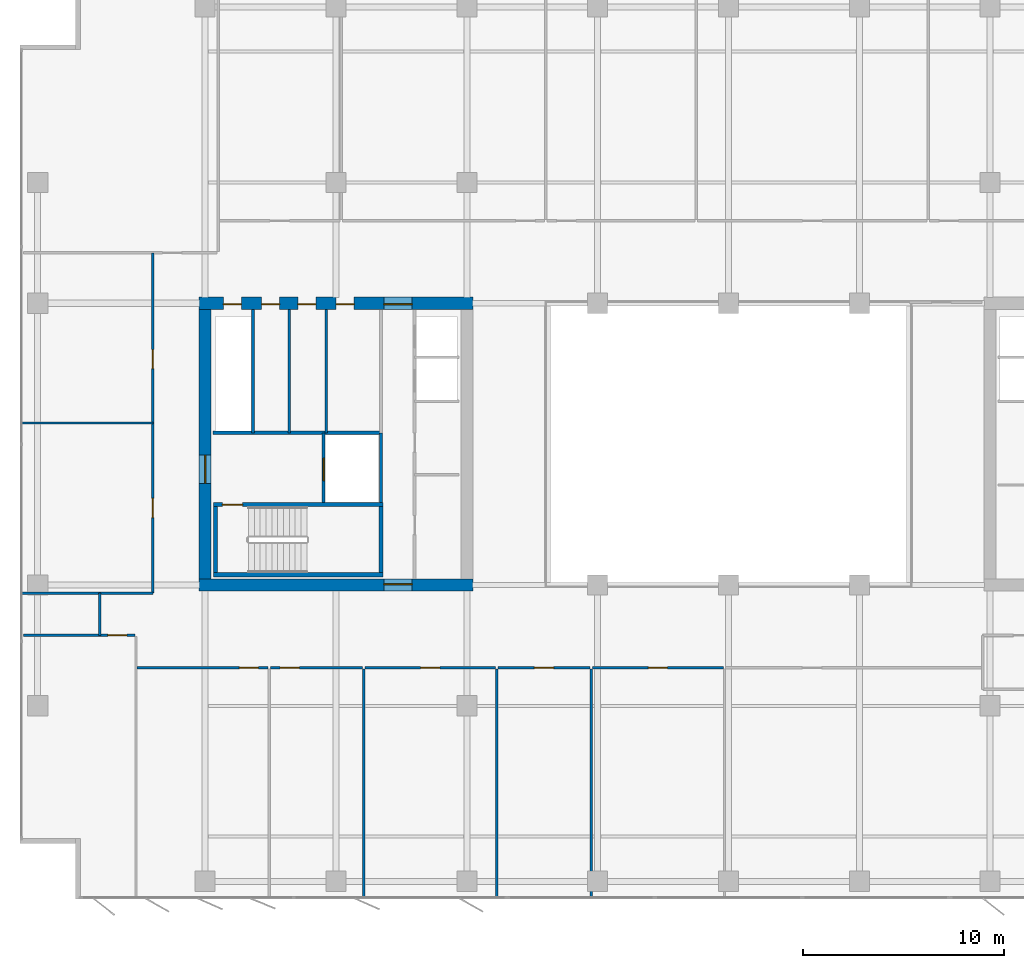
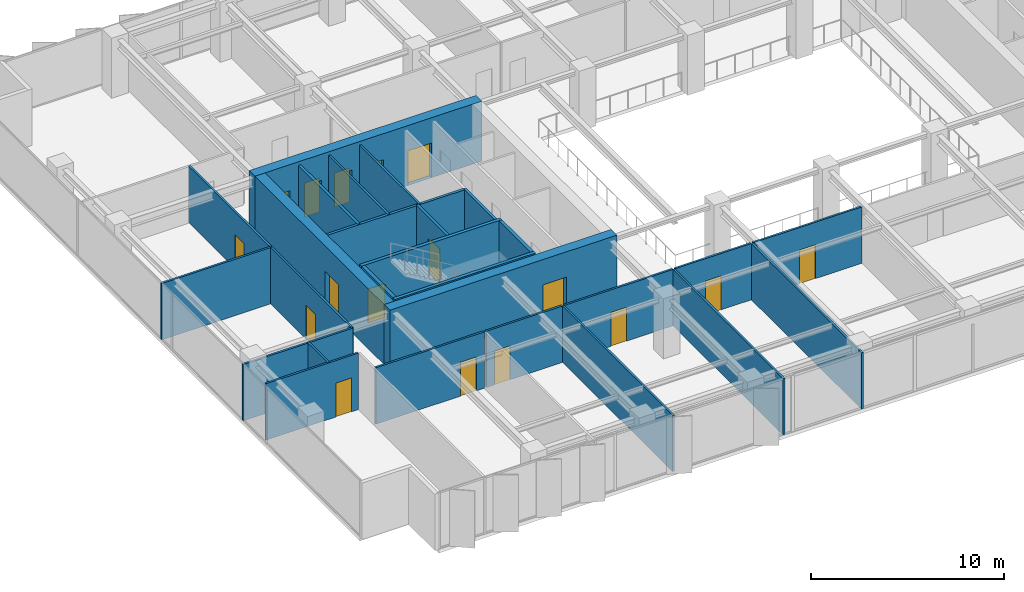
# One storey, part 15 of 22: 27 walls, 17 doors, 17 openings.
"""IFC4 building model written with IfcOpenShell, lengths in metres."""

import ifcopenshell
import ifcopenshell.guid

model = None  # the IFC model being written
_history = None  # IfcOwnerHistory: only IFC2X3 demands one
_inside = {}  # id of a spatial element -> (the spatial element, [elements in it])
_under = {}  # id of a project, library or spatial element -> (it, [spatial elements below it])
_declared = {}  # id of a project -> (the project, [libraries it declares])
_typed = {}  # id of a type object -> (the type object, [elements of that type])
_made_of = {}  # id of a material, layer set ... -> (it, [elements and type objects made of it])


def new_model(schema):
    """Start an empty IFC model of exactly this schema.

    Asked for "IFC4X3", IfcOpenShell would pick the latest addendum, in which some entities
    have other attributes; the version numbers below select the first issue.
    IFC2X3 requires an IfcOwnerHistory on every rooted entity: one is made here for all.
    """
    global model, _history
    if schema == "IFC4X3":
        model = ifcopenshell.file(schema_version=(4, 3, 0, 0))
    else:
        model = ifcopenshell.file(schema=schema)
    _inside.clear()
    _under.clear()
    _declared.clear()
    _typed.clear()
    _made_of.clear()
    _history = None
    if model.schema == "IFC2X3":
        org = make("IfcOrganization", Name="unknown")
        user = make(
            "IfcPersonAndOrganization",
            ThePerson=make("IfcPerson", FamilyName="unknown"),
            TheOrganization=org,
        )
        app = make(
            "IfcApplication",
            ApplicationDeveloper=org,
            Version="unknown",
            ApplicationFullName="unknown",
            ApplicationIdentifier="unknown",
        )
        _history = make(
            "IfcOwnerHistory",
            OwningUser=user,
            OwningApplication=app,
            ChangeAction="ADDED",
            CreationDate=0,
        )
    return model


def make(cls, **values):
    """One entity of the class cls with the attributes given. An attribute that is None is left unset."""
    return model.create_entity(
        cls, **{name: value for name, value in values.items() if value is not None}
    )


def rooted(cls, **values):
    """An entity with a GlobalId (a new one), such as an element, a storey or a relation."""
    return make(cls, GlobalId=ifcopenshell.guid.new(), OwnerHistory=_history, **values)


def si_unit(unit_type, name, prefix=None):
    """IfcSIUnit, for example si_unit("LENGTHUNIT", "METRE", prefix="MILLI")."""
    return make("IfcSIUnit", UnitType=unit_type, Prefix=prefix, Name=name)


def assignment(units):
    """IfcUnitAssignment: the units of a project."""
    return None if units is None else make("IfcUnitAssignment", Units=units)


def point(xyz):
    """IfcCartesianPoint."""
    return None if xyz is None else make("IfcCartesianPoint", Coordinates=xyz)


def direction(xyz):
    """IfcDirection."""
    return None if xyz is None else make("IfcDirection", DirectionRatios=xyz)


def frame(location, z_axis=None, x_axis=None):
    """IfcAxis2Placement3D, a coordinate frame: its origin and axes. An axis left out is left unset."""
    return make(
        "IfcAxis2Placement3D",
        Location=point(location),
        Axis=direction(z_axis),
        RefDirection=direction(x_axis),
    )


def frame_2d(location, x_axis=None):
    """IfcAxis2Placement2D, a coordinate frame in the plane: its origin and x axis."""
    return make(
        "IfcAxis2Placement2D", Location=point(location), RefDirection=direction(x_axis)
    )


def origin():
    """The frame at (0, 0, 0) with its axes left unset."""
    return frame((0.0, 0.0, 0.0))


def place(relative_to, where):
    """IfcLocalPlacement: puts the frame where relative to a parent placement (None: the world)."""
    return make(
        "IfcLocalPlacement", PlacementRelTo=relative_to, RelativePlacement=where
    )


def context(
    kind, dimensions, precision=None, world=None, true_north=None, identifier=None
):
    """IfcGeometricRepresentationContext, for example the 3D "Model" context."""
    return make(
        "IfcGeometricRepresentationContext",
        ContextIdentifier=identifier,
        ContextType=kind,
        CoordinateSpaceDimension=dimensions,
        Precision=precision,
        WorldCoordinateSystem=world,
        TrueNorth=true_north,
    )


def subcontext(parent, identifier, kind, view, scale=None):
    """IfcGeometricRepresentationSubContext, for example "Body" below "Model"."""
    return make(
        "IfcGeometricRepresentationSubContext",
        ContextIdentifier=identifier,
        ContextType=kind,
        ParentContext=parent,
        TargetScale=scale,
        TargetView=view,
    )


def project(units=None, contexts=None):
    """IfcProject with its units and contexts."""
    return rooted(
        "IfcProject",
        Name="project",
        RepresentationContexts=contexts,
        UnitsInContext=assignment(units),
    )


def spatial(cls, under=None, at=None, **own):
    """A site, building, storey or space (cls), placed at a placement, below another one or the project."""
    s = rooted(cls, ObjectPlacement=at, **own)
    if under is not None:
        _under.setdefault(under.id(), (under, []))[1].append(s)
    return s


def profile(cls, at=None, kind="AREA", **sizes):
    """A parametric profile (cls). Its sizes go by their IFC names, for example OverallWidth=200.0."""
    return make(cls, ProfileType=kind, Position=at, **sizes)


def rectangle(**sizes):
    """IfcRectangleProfileDef."""
    return profile("IfcRectangleProfileDef", **sizes)


def extrude(swept, where, along, depth):
    """IfcExtrudedAreaSolid: the profile swept, set in the frame where, extruded along a direction by depth."""
    return make(
        "IfcExtrudedAreaSolid",
        SweptArea=swept,
        Position=where,
        ExtrudedDirection=direction(along),
        Depth=depth,
    )


def shape(context_of_items, identifier, shape_type, items):
    """IfcShapeRepresentation: the items that make up one representation, for example the "Body"."""
    return make(
        "IfcShapeRepresentation",
        ContextOfItems=context_of_items,
        RepresentationIdentifier=identifier,
        RepresentationType=shape_type,
        Items=items,
    )


def material(Name=None, Category=None):
    """IfcMaterial."""
    return make("IfcMaterial", Name=Name, Category=Category)


def layer(
    of_material, thickness, ventilated=None, Name=None, Category=None, Priority=None
):
    """IfcMaterialLayer: one layer of a wall or slab, of a material (None: an air gap)."""
    return make(
        "IfcMaterialLayer",
        Material=of_material,
        LayerThickness=thickness,
        IsVentilated=ventilated,
        Name=Name,
        Category=Category,
        Priority=Priority,
    )


def layer_set(layers, Name=None):
    """IfcMaterialLayerSet."""
    return make("IfcMaterialLayerSet", MaterialLayers=layers, LayerSetName=Name)


def made_of(thing, what):
    """Note that an element or type object is made of a material, layer set ...; save() writes the relation."""
    if what is not None:
        _made_of.setdefault(what.id(), (what, []))[1].append(thing)
    return thing


def type_object(cls, material=None, **own):
    """A type object (cls), such as IfcWallType, which elements share."""
    return made_of(rooted(cls, **own), material)


def element(
    cls,
    number,
    at=None,
    inside=None,
    cuts=None,
    type_object=None,
    material=None,
    context=None,
    identifier="Body",
    shape_type=None,
    held_by="IfcProductDefinitionShape",
    body=None,
    shapes=None,
    **own,
):
    """One element of the class cls, such as IfcWall. Its Tag is "e" and its number.

    at: its placement. inside: the storey or other place that contains it. cuts: it is an
    opening in that element (IfcRelVoidsElement). A single representation is given by context,
    identifier, shape_type and body (its items); several are given by shapes. held_by: the class
    of the entity that holds the representations. save() writes the other relations.
    """
    e = rooted(cls, Tag="e%d" % number, ObjectPlacement=at, **own)
    if body is not None:
        shapes = [shape(context, identifier, shape_type, body)]
    if shapes is not None:
        e.Representation = make(held_by, Representations=shapes)
    if inside is not None:
        _inside.setdefault(inside.id(), (inside, []))[1].append(e)
    if cuts is not None:
        rooted(
            "IfcRelVoidsElement", RelatingBuildingElement=cuts, RelatedOpeningElement=e
        )
    if type_object is not None:
        _typed.setdefault(type_object.id(), (type_object, []))[1].append(e)
    return made_of(e, material)


def fill(opening, filler):
    """IfcRelFillsElement: the door or window that sits in an opening."""
    return rooted(
        "IfcRelFillsElement",
        RelatingOpeningElement=opening,
        RelatedBuildingElement=filler,
    )


def aggregate(whole, parts):
    """IfcRelAggregates: a whole, such as a stair, and the parts it consists of."""
    return rooted("IfcRelAggregates", RelatingObject=whole, RelatedObjects=parts)


def save(model, path):
    """Write the relations noted so far, then the file.

    IfcRelAggregates (storeys below a building ...), IfcRelContainedInSpatialStructure (elements
    in a storey), IfcRelDefinesByType, IfcRelAssociatesMaterial and IfcRelDeclares: one each for
    every whole, place, type object, material and project.
    """
    for whole, parts in _under.values():
        aggregate(whole, parts)
    for where, things in _inside.values():
        rooted(
            "IfcRelContainedInSpatialStructure",
            RelatedElements=things,
            RelatingStructure=where,
        )
    for kind, things in _typed.values():
        rooted("IfcRelDefinesByType", RelatedObjects=things, RelatingType=kind)
    for what, things in _made_of.values():
        rooted("IfcRelAssociatesMaterial", RelatedObjects=things, RelatingMaterial=what)
    for by, libraries in _declared.values():
        rooted("IfcRelDeclares", RelatingContext=by, RelatedDefinitions=libraries)
    model.write(path)


model = new_model("IFC4")

# Units and contexts
model_context = context("Model", 3, precision=1e-05, world=origin(), true_north=direction((0.0, 1.0)))
body_context = subcontext(model_context, "Body", "Model", "MODEL_VIEW")
ifc_project = project(units=[si_unit("LENGTHUNIT", "METRE"), si_unit("AREAUNIT", "SQUARE_METRE"), si_unit("VOLUMEUNIT", "CUBIC_METRE"), si_unit("PLANEANGLEUNIT", "RADIAN"), si_unit("MASSUNIT", "GRAM", prefix="KILO")], contexts=[model_context])

# Site, building, storey
site_placement = place(None, origin())
site = spatial("IfcSite", under=ifc_project, at=site_placement, CompositionType="ELEMENT")
building_placement = place(site_placement, origin())
building = spatial("IfcBuilding", under=site, at=building_placement, Name="Putna Gate Headquarters", CompositionType="ELEMENT")
storey_placement = place(building_placement, frame((0.0, 0.0, 178.39990234375)))
storey = spatial("IfcBuildingStorey", under=building, at=storey_placement, Name="L44", CompositionType="ELEMENT", Elevation=178.39990234375)

# Wall, opening, door
ifc_material_1 = material(Name="Concrete C50/60", Category="concrete")
ifc_layer_1 = layer(ifc_material_1, 0.60009765625)
ifc_layer_set_1 = layer_set([ifc_layer_1], Name="Concrete C50/60")
wall_type_1 = type_object("IfcWallType", Name="WALL-CORE-600", PredefinedType="SHEAR", material=ifc_layer_set_1)
wall_1_placement = place(storey_placement, frame((12.699951171875, 19.0, 0.0), z_axis=(0.0, 0.0, 1.0), x_axis=(1.0, 0.0, 0.0)))
wall_1 = element("IfcWall", 1, at=wall_1_placement, inside=storey, type_object=wall_type_1, Name="L44 WC Split Core Shear Wall S", PredefinedType="SHEAR", context=body_context, shape_type="SweptSolid", body=[
    extrude(rectangle(XDim=13.60009765625, YDim=0.60009765625, at=frame_2d((6.800048828125, 0.0))), origin(), (0.0, 0.0, 1.0), 3.800048828125),
])
opening_1_placement = place(wall_1_placement, frame((9.179931640625, 0.0, 0.0)))
opening_1 = element("IfcOpeningElement", 2, at=opening_1_placement, cuts=wall_1, Name="Opening FDD-140", PredefinedType="OPENING", context=body_context, shape_type="SweptSolid", body=[
    extrude(rectangle(XDim=1.39990234375, YDim=2.199951171875, at=frame_2d((0.699951171875, 1.10009765625))), frame((0.0, 0.31005859375, 0.0), z_axis=(0.0, -1.0, 0.0), x_axis=(1.0, 0.0, 0.0)), (0.0, 0.0, 1.0), 0.6201171875),
])
ifc_material_2 = material(Name="Double steel fire door", Category="steel")
door_type_1 = type_object("IfcDoorType", Name="DOOR-FIRE-DBL-1400", OperationType="DOUBLE_DOOR_SINGLE_SWING", PredefinedType="DOOR", material=ifc_material_2)
door_1_placement = place(opening_1_placement, origin())
door_1 = element("IfcDoor", 3, at=door_1_placement, inside=storey, type_object=door_type_1, Name="L44 West Lift Lobby South Door", OperationType="DOUBLE_DOOR_SINGLE_SWING", OverallHeight=2.199951171875, OverallWidth=1.39990234375, PredefinedType="DOOR", context=body_context, shape_type="SweptSolid", body=[
    extrude(rectangle(XDim=1.39990234375, YDim=2.199951171875, at=frame_2d((0.699951171875, 1.10009765625))), frame((0.0, 0.0751953125, 0.0), z_axis=(0.0, -1.0, 0.0), x_axis=(1.0, 0.0, 0.0)), (0.0, 0.0, 1.0), 0.050048828125),
])
fill(opening_1, door_1)

# Wall, openings, doors
wall_2_placement = place(storey_placement, frame((12.699951171875, 33.0, 0.0), z_axis=(0.0, 0.0, 1.0), x_axis=(1.0, 0.0, 0.0)))
wall_2 = element("IfcWall", 4, at=wall_2_placement, inside=storey, type_object=wall_type_1, Name="L44 WC Split Core Shear Wall N", PredefinedType="SHEAR", context=body_context, shape_type="SweptSolid", body=[
    extrude(rectangle(XDim=13.60009765625, YDim=0.60009765625, at=frame_2d((6.800048828125, 0.0))), origin(), (0.0, 0.0, 1.0), 3.800048828125),
])
opening_2_placement = place(wall_2_placement, frame((1.199951171875, 0.0, 0.0)))
opening_2 = element("IfcOpeningElement", 5, at=opening_2_placement, cuts=wall_2, Name="Opening RD-90", PredefinedType="OPENING", context=body_context, shape_type="SweptSolid", body=[
    extrude(rectangle(XDim=0.89990234375, YDim=2.14990234375, at=frame_2d((0.449951171875, 1.074951171875))), frame((0.0, 0.31005859375, 0.0), z_axis=(0.0, -1.0, 0.0), x_axis=(1.0, 0.0, 0.0)), (0.0, 0.0, 1.0), 0.6201171875),
])
opening_3_placement = place(wall_2_placement, frame((3.10009765625, 0.0, 0.0)))
opening_3 = element("IfcOpeningElement", 6, at=opening_3_placement, cuts=wall_2, Name="Opening IDS-90", PredefinedType="OPENING", context=body_context, shape_type="SweptSolid", body=[
    extrude(rectangle(XDim=0.89990234375, YDim=2.14990234375, at=frame_2d((0.449951171875, 1.074951171875))), frame((0.0, 0.31005859375, 0.0), z_axis=(0.0, -1.0, 0.0), x_axis=(1.0, 0.0, 0.0)), (0.0, 0.0, 1.0), 0.6201171875),
])
opening_4_placement = place(wall_2_placement, frame((4.89990234375, 0.0, 0.0)))
opening_4 = element("IfcOpeningElement", 7, at=opening_4_placement, cuts=wall_2, Name="Opening IDS-90", PredefinedType="OPENING", context=body_context, shape_type="SweptSolid", body=[
    extrude(rectangle(XDim=0.89990234375, YDim=2.14990234375, at=frame_2d((0.449951171875, 1.074951171875))), frame((0.0, 0.31005859375, 0.0), z_axis=(0.0, -1.0, 0.0), x_axis=(1.0, 0.0, 0.0)), (0.0, 0.0, 1.0), 0.6201171875),
])
opening_5_placement = place(wall_2_placement, frame((6.800048828125, 0.0, 0.0)))
opening_5 = element("IfcOpeningElement", 8, at=opening_5_placement, cuts=wall_2, Name="Opening IDS-90", PredefinedType="OPENING", context=body_context, shape_type="SweptSolid", body=[
    extrude(rectangle(XDim=0.89990234375, YDim=2.14990234375, at=frame_2d((0.449951171875, 1.074951171875))), frame((0.0, 0.31005859375, 0.0), z_axis=(0.0, -1.0, 0.0), x_axis=(1.0, 0.0, 0.0)), (0.0, 0.0, 1.0), 0.6201171875),
])
opening_6_placement = place(wall_2_placement, frame((9.179931640625, 0.0, 0.0)))
opening_6 = element("IfcOpeningElement", 9, at=opening_6_placement, cuts=wall_2, Name="Opening FDD-140", PredefinedType="OPENING", context=body_context, shape_type="SweptSolid", body=[
    extrude(rectangle(XDim=1.39990234375, YDim=2.199951171875, at=frame_2d((0.699951171875, 1.10009765625))), frame((0.0, 0.31005859375, 0.0), z_axis=(0.0, -1.0, 0.0), x_axis=(1.0, 0.0, 0.0)), (0.0, 0.0, 1.0), 0.6201171875),
])
door_2_placement = place(opening_6_placement, origin())
door_2 = element("IfcDoor", 10, at=door_2_placement, inside=storey, type_object=door_type_1, Name="L44 West Lift Lobby North Door", OperationType="DOUBLE_DOOR_SINGLE_SWING", OverallHeight=2.199951171875, OverallWidth=1.39990234375, PredefinedType="DOOR", context=body_context, shape_type="SweptSolid", body=[
    extrude(rectangle(XDim=1.39990234375, YDim=2.199951171875, at=frame_2d((0.699951171875, 1.10009765625))), frame((0.0, -0.02490234375, 0.0), z_axis=(0.0, -1.0, 0.0), x_axis=(1.0, 0.0, 0.0)), (0.0, 0.0, 1.0), 0.050048828125),
])
fill(opening_6, door_2)
ifc_material_3 = material(Name="Fire-rated utility door")
door_type_2 = type_object("IfcDoorType", Name="DOOR-INT-900", OperationType="NOTDEFINED", PredefinedType="DOOR", material=ifc_material_3)
door_3_placement = place(opening_3_placement, origin())
door_3 = element("IfcDoor", 11, at=door_3_placement, inside=storey, type_object=door_type_2, Name="L44 Janitor Cupboard Door", OperationType="SINGLE_SWING_LEFT", OverallHeight=2.14990234375, OverallWidth=0.89990234375, PredefinedType="DOOR", context=body_context, shape_type="SweptSolid", body=[
    extrude(rectangle(XDim=0.89990234375, YDim=2.14990234375, at=frame_2d((0.449951171875, 1.074951171875))), frame((0.0, -0.02490234375, 0.0), z_axis=(0.0, -1.0, 0.0), x_axis=(1.0, 0.0, 0.0)), (0.0, 0.0, 1.0), 0.050048828125),
])
fill(opening_3, door_3)
door_4_placement = place(opening_4_placement, origin())
door_4 = element("IfcDoor", 12, at=door_4_placement, inside=storey, type_object=door_type_2, Name="L44 IT Patch Plant Door", OperationType="SINGLE_SWING_RIGHT", OverallHeight=2.14990234375, OverallWidth=0.89990234375, PredefinedType="DOOR", context=body_context, shape_type="SweptSolid", body=[
    extrude(rectangle(XDim=0.89990234375, YDim=2.14990234375, at=frame_2d((0.449951171875, 1.074951171875))), frame((0.0, -0.02490234375, 0.0), z_axis=(0.0, -1.0, 0.0), x_axis=(1.0, 0.0, 0.0)), (0.0, 0.0, 1.0), 0.050048828125),
])
fill(opening_4, door_4)
door_5_placement = place(opening_5_placement, origin())
door_5 = element("IfcDoor", 13, at=door_5_placement, inside=storey, type_object=door_type_2, Name="L44 Building Records Store Door", OperationType="SINGLE_SWING_LEFT", OverallHeight=2.14990234375, OverallWidth=0.89990234375, PredefinedType="DOOR", context=body_context, shape_type="SweptSolid", body=[
    extrude(rectangle(XDim=0.89990234375, YDim=2.14990234375, at=frame_2d((0.449951171875, 1.074951171875))), frame((0.0, -0.02490234375, 0.0), z_axis=(0.0, -1.0, 0.0), x_axis=(1.0, 0.0, 0.0)), (0.0, 0.0, 1.0), 0.050048828125),
])
fill(opening_5, door_5)
ifc_material_4 = material(Name="Steel riser access fire door", Category="steel")
door_type_3 = type_object("IfcDoorType", Name="DOOR-RISER-900", OperationType="NOTDEFINED", PredefinedType="DOOR", material=ifc_material_4)
door_6_placement = place(opening_2_placement, origin())
door_6 = element("IfcDoor", 14, at=door_6_placement, inside=storey, type_object=door_type_3, Name="L44 West Riser Access Door", OperationType="SINGLE_SWING_RIGHT", OverallHeight=2.14990234375, OverallWidth=0.89990234375, PredefinedType="DOOR", context=body_context, shape_type="SweptSolid", body=[
    extrude(rectangle(XDim=0.89990234375, YDim=2.14990234375, at=frame_2d((0.449951171875, 1.074951171875))), frame((0.0, -0.02490234375, 0.0), z_axis=(0.0, -1.0, 0.0), x_axis=(1.0, 0.0, 0.0)), (0.0, 0.0, 1.0), 0.050048828125),
])
fill(opening_2, door_6)

# Wall, opening, door
wall_3_placement = place(storey_placement, frame((13.0, 19.300048828125, 0.0), z_axis=(0.0, 0.0, 1.0), x_axis=(0.0, 1.0, 0.0)))
wall_3 = element("IfcWall", 15, at=wall_3_placement, inside=storey, type_object=wall_type_1, Name="L44 WC Split Core Shear Wall W", PredefinedType="SHEAR", context=body_context, shape_type="SweptSolid", body=[
    extrude(rectangle(XDim=13.39990234375, YDim=0.60009765625, at=frame_2d((6.699951171875, 0.0))), origin(), (0.0, 0.0, 1.0), 3.800048828125),
])
opening_7_placement = place(wall_3_placement, frame((4.75, 0.0, 0.0)))
opening_7 = element("IfcOpeningElement", 16, at=opening_7_placement, cuts=wall_3, Name="Opening FDD-140", PredefinedType="OPENING", context=body_context, shape_type="SweptSolid", body=[
    extrude(rectangle(XDim=1.39990234375, YDim=2.199951171875, at=frame_2d((0.699951171875, 1.10009765625))), frame((0.0, 0.31005859375, 0.0), z_axis=(0.0, -1.0, 0.0), x_axis=(1.0, 0.0, 0.0)), (0.0, 0.0, 1.0), 0.6201171875),
])
door_7_placement = place(opening_7_placement, origin())
door_7 = element("IfcDoor", 17, at=door_7_placement, inside=storey, type_object=door_type_1, Name="L44 West Firefighting Lobby Door", OperationType="DOUBLE_DOOR_SINGLE_SWING", OverallHeight=2.199951171875, OverallWidth=1.39990234375, PredefinedType="DOOR", context=body_context, shape_type="SweptSolid", body=[
    extrude(rectangle(XDim=1.39990234375, YDim=2.199951171875, at=frame_2d((0.699951171875, 1.10009765625))), frame((0.0, 0.02490234375, 0.0), z_axis=(0.0, -1.0, 0.0), x_axis=(1.0, 0.0, 0.0)), (0.0, 0.0, 1.0), 0.050048828125),
])
fill(opening_7, door_7)

# Walls
ifc_material_5 = material(Name="Acoustic gypsum board on metal stud")
ifc_layer_2 = layer(ifc_material_5, 0.1201171875)
ifc_layer_set_2 = layer_set([ifc_layer_2], Name="Acoustic gypsum board on metal stud")
wall_type_2 = type_object("IfcWallType", Name="WALL-PART-120", PredefinedType="PARTITIONING", material=ifc_layer_set_2)
for number, where, z_axis, x_axis, name in (
    (18, (20.872802734375, 3.419921875, 0.0), (0.0, 0.0, 1.0), (0.0, 1.0, 0.0), "L44 Interior Wall PART-L44-SB-DIV-03"),
    (19, (27.4921875, 3.419921875, 0.0), (0.0, 0.0, 1.0), (0.0, 1.0, 0.0), "L44 Interior Wall PART-L44-SB-DIV-04"),
    (20, (32.180908203125, 3.419921875, 0.0), (0.0, 0.0, 1.0), (0.0, 1.0, 0.0), "L44 Interior Wall PART-L44-SB-DIV-05"),
):
    element("IfcWall", number, at=place(storey_placement, frame(where, z_axis=z_axis, x_axis=x_axis)), inside=storey, type_object=wall_type_2, Name=name, PredefinedType="PARTITIONING", context=body_context, shape_type="SweptSolid", body=[
        extrude(rectangle(XDim=11.420166015625, YDim=0.1201171875, at=frame_2d((5.7099609375, 0.0))), origin(), (0.0, 0.0, 1.0), 3.572021484375),
    ])
wall_4_placement = place(storey_placement, frame((3.820068359375, 27.050048828125, 0.0), z_axis=(0.0, 0.0, 1.0), x_axis=(1.0, 0.0, 0.0)))
element("IfcWall", 21, at=wall_4_placement, inside=storey, type_object=wall_type_2, Name="L44 Interior Wall PART-L44-WW-DIV-1", PredefinedType="PARTITIONING", context=body_context, shape_type="SweptSolid", body=[
    extrude(rectangle(XDim=6.579833984375, YDim=0.1201171875, at=frame_2d((3.2900390625, 0.0))), origin(), (0.0, 0.0, 1.0), 3.572021484375),
])
ifc_material_6 = material(Name="Fire-rated gypsum board on metal stud")
ifc_layer_3 = layer(ifc_material_6, 0.1201171875)
ifc_layer_set_3 = layer_set([ifc_layer_3], Name="Fire-rated gypsum board on metal stud")
wall_type_3 = type_object("IfcWallType", Name="WALL-PART-120-RATED", PredefinedType="PARTITIONING", material=ifc_layer_set_3)
for number, where, z_axis, x_axis, name in (
    (22, (17.169921875, 26.56005859375, 0.0), (0.0, 0.0, 1.0), (0.0, 1.0, 0.0), "L44 Interior Wall CWINT-L44-WC-K2-D1"),
    (23, (19.02001953125, 26.56005859375, 0.0), (0.0, 0.0, 1.0), (0.0, 1.0, 0.0), "L44 Interior Wall CWINT-L44-WC-K2-D2"),
):
    element("IfcWall", number, at=place(storey_placement, frame(where, z_axis=z_axis, x_axis=x_axis)), inside=storey, type_object=wall_type_3, Name=name, PredefinedType="PARTITIONING", context=body_context, shape_type="SweptSolid", body=[
        extrude(rectangle(XDim=6.139892578125, YDim=0.1201171875, at=frame_2d((3.06982421875, 0.0))), origin(), (0.0, 0.0, 1.0), 3.572021484375),
    ])
wall_5_placement = place(storey_placement, frame((7.764892578125, 16.5, 0.0), z_axis=(0.0, 0.0, 1.0), x_axis=(0.0, 1.0, 0.0)))
element("IfcWall", 24, at=wall_5_placement, inside=storey, type_object=wall_type_3, Name="L44 Interior Wall PART-L44-CORRS-CAPW", PredefinedType="PARTITIONING", context=body_context, shape_type="SweptSolid", body=[
    extrude(rectangle(XDim=2.10009765625, YDim=0.1201171875, at=frame_2d((1.050048828125, 0.0))), origin(), (0.0, 0.0, 1.0), 3.572021484375),
])

# Wall, opening, door
wall_6_placement = place(storey_placement, frame((3.97998046875, 16.5, 0.0), z_axis=(0.0, 0.0, 1.0), x_axis=(1.0, 0.0, 0.0)))
wall_6 = element("IfcWall", 25, at=wall_6_placement, inside=storey, type_object=wall_type_3, Name="L44 Interior Wall PART-L44-SB-CW-01", PredefinedType="PARTITIONING", context=body_context, shape_type="SweptSolid", body=[
    extrude(rectangle(XDim=5.52490234375, YDim=0.1201171875, at=frame_2d((2.762451171875, 0.0))), origin(), (0.0, 0.0, 1.0), 3.572021484375),
])
opening_8_placement = place(wall_6_placement, frame((4.179931640625, 0.0, 0.0)))
opening_8 = element("IfcOpeningElement", 26, at=opening_8_placement, cuts=wall_6, Name="Opening FD-95", PredefinedType="OPENING", context=body_context, shape_type="SweptSolid", body=[
    extrude(rectangle(XDim=0.949951171875, YDim=2.14990234375, at=frame_2d((0.47509765625, 1.074951171875))), frame((0.0, 0.070068359375, 0.0), z_axis=(0.0, -1.0, 0.0), x_axis=(1.0, 0.0, 0.0)), (0.0, 0.0, 1.0), 0.14013671875),
])
ifc_material_7 = material(Name="Acoustic timber fire door", Category="wood")
door_type_4 = type_object("IfcDoorType", Name="DOOR-FIRE-950", OperationType="NOTDEFINED", PredefinedType="DOOR", material=ifc_material_7)
door_8_placement = place(opening_8_placement, origin())
door_8 = element("IfcDoor", 27, at=door_8_placement, inside=storey, type_object=door_type_4, Name="L44 Collaborative Breakout Lounge 1 Door", OperationType="SINGLE_SWING_RIGHT", OverallHeight=2.14990234375, OverallWidth=0.949951171875, PredefinedType="DOOR", context=body_context, shape_type="SweptSolid", body=[
    extrude(rectangle(XDim=0.949951171875, YDim=2.14990234375, at=frame_2d((0.47509765625, 1.074951171875))), frame((0.0, 0.02490234375, 0.0), z_axis=(0.0, -1.0, 0.0), x_axis=(1.0, 0.0, 0.0)), (0.0, 0.0, 1.0), 0.050048828125),
])
fill(opening_8, door_8)

wall_7_placement = place(storey_placement, frame((9.625, 14.89990234375, 0.0), z_axis=(0.0, 0.0, 1.0), x_axis=(1.0, 0.0, 0.0)))
wall_7 = element("IfcWall", 28, at=wall_7_placement, inside=storey, type_object=wall_type_3, Name="L44 Interior Wall PART-L44-SB-CW-02", PredefinedType="PARTITIONING", context=body_context, shape_type="SweptSolid", body=[
    extrude(rectangle(XDim=6.499267578125, YDim=0.1201171875, at=frame_2d((3.24951171875, 0.0))), origin(), (0.0, 0.0, 1.0), 3.572021484375),
])
opening_9_placement = place(wall_7_placement, frame((5.069091796875, 0.0, 0.0)))
opening_9 = element("IfcOpeningElement", 29, at=opening_9_placement, cuts=wall_7, Name="Opening FD-95", PredefinedType="OPENING", context=body_context, shape_type="SweptSolid", body=[
    extrude(rectangle(XDim=0.949951171875, YDim=2.14990234375, at=frame_2d((0.47509765625, 1.074951171875))), frame((0.0, 0.070068359375, 0.0), z_axis=(0.0, -1.0, 0.0), x_axis=(1.0, 0.0, 0.0)), (0.0, 0.0, 1.0), 0.14013671875),
])
door_9_placement = place(opening_9_placement, origin())
door_9 = element("IfcDoor", 30, at=door_9_placement, inside=storey, type_object=door_type_4, Name="L44 Cellular Office 5 Door", OperationType="SINGLE_SWING_LEFT", OverallHeight=2.14990234375, OverallWidth=0.949951171875, PredefinedType="DOOR", context=body_context, shape_type="SweptSolid", body=[
    extrude(rectangle(XDim=0.949951171875, YDim=2.14990234375, at=frame_2d((0.47509765625, 1.074951171875))), frame((0.0, 0.02490234375, 0.0), z_axis=(0.0, -1.0, 0.0), x_axis=(1.0, 0.0, 0.0)), (0.0, 0.0, 1.0), 0.050048828125),
])
fill(opening_9, door_9)

wall_8_placement = place(storey_placement, frame((16.244140625, 14.89990234375, 0.0), z_axis=(0.0, 0.0, 1.0), x_axis=(1.0, 0.0, 0.0)))
wall_8 = element("IfcWall", 31, at=wall_8_placement, inside=storey, type_object=wall_type_3, Name="L44 Interior Wall PART-L44-SB-CW-03", PredefinedType="PARTITIONING", context=body_context, shape_type="SweptSolid", body=[
    extrude(rectangle(XDim=4.56884765625, YDim=0.1201171875, at=frame_2d((2.284423828125, 0.0))), origin(), (0.0, 0.0, 1.0), 3.572021484375),
])
opening_10_placement = place(wall_8_placement, frame((0.47998046875, 0.0, 0.0)))
opening_10 = element("IfcOpeningElement", 32, at=opening_10_placement, cuts=wall_8, Name="Opening FD-95", PredefinedType="OPENING", context=body_context, shape_type="SweptSolid", body=[
    extrude(rectangle(XDim=0.949951171875, YDim=2.14990234375, at=frame_2d((0.47509765625, 1.074951171875))), frame((0.0, 0.070068359375, 0.0), z_axis=(0.0, -1.0, 0.0), x_axis=(1.0, 0.0, 0.0)), (0.0, 0.0, 1.0), 0.14013671875),
])
door_10_placement = place(opening_10_placement, origin())
door_10 = element("IfcDoor", 33, at=door_10_placement, inside=storey, type_object=door_type_4, Name="L44 Cellular Office 6 Door", OperationType="SINGLE_SWING_RIGHT", OverallHeight=2.14990234375, OverallWidth=0.949951171875, PredefinedType="DOOR", context=body_context, shape_type="SweptSolid", body=[
    extrude(rectangle(XDim=0.949951171875, YDim=2.14990234375, at=frame_2d((0.47509765625, 1.074951171875))), frame((0.0, 0.02490234375, 0.0), z_axis=(0.0, -1.0, 0.0), x_axis=(1.0, 0.0, 0.0)), (0.0, 0.0, 1.0), 0.050048828125),
])
fill(opening_10, door_10)

wall_9_placement = place(storey_placement, frame((20.932861328125, 14.89990234375, 0.0), z_axis=(0.0, 0.0, 1.0), x_axis=(1.0, 0.0, 0.0)))
wall_9 = element("IfcWall", 34, at=wall_9_placement, inside=storey, type_object=wall_type_3, Name="L44 Interior Wall PART-L44-SB-CW-04", PredefinedType="PARTITIONING", context=body_context, shape_type="SweptSolid", body=[
    extrude(rectangle(XDim=6.499267578125, YDim=0.1201171875, at=frame_2d((3.24951171875, 0.0))), origin(), (0.0, 0.0, 1.0), 3.572021484375),
])
opening_11_placement = place(wall_9_placement, frame((2.774658203125, 0.0, 0.0)))
opening_11 = element("IfcOpeningElement", 35, at=opening_11_placement, cuts=wall_9, Name="Opening FD-95", PredefinedType="OPENING", context=body_context, shape_type="SweptSolid", body=[
    extrude(rectangle(XDim=0.949951171875, YDim=2.14990234375, at=frame_2d((0.47509765625, 1.074951171875))), frame((0.0, 0.070068359375, 0.0), z_axis=(0.0, -1.0, 0.0), x_axis=(1.0, 0.0, 0.0)), (0.0, 0.0, 1.0), 0.14013671875),
])
door_11_placement = place(opening_11_placement, origin())
door_11 = element("IfcDoor", 36, at=door_11_placement, inside=storey, type_object=door_type_4, Name="L44 Conference Meeting Room 1 Door", OperationType="SINGLE_SWING_LEFT", OverallHeight=2.14990234375, OverallWidth=0.949951171875, PredefinedType="DOOR", context=body_context, shape_type="SweptSolid", body=[
    extrude(rectangle(XDim=0.949951171875, YDim=2.14990234375, at=frame_2d((0.47509765625, 1.074951171875))), frame((0.0, 0.02490234375, 0.0), z_axis=(0.0, -1.0, 0.0), x_axis=(1.0, 0.0, 0.0)), (0.0, 0.0, 1.0), 0.050048828125),
])
fill(opening_11, door_11)

wall_10_placement = place(storey_placement, frame((27.552001953125, 14.89990234375, 0.0), z_axis=(0.0, 0.0, 1.0), x_axis=(1.0, 0.0, 0.0)))
wall_10 = element("IfcWall", 37, at=wall_10_placement, inside=storey, type_object=wall_type_3, Name="L44 Interior Wall PART-L44-SB-CW-05", PredefinedType="PARTITIONING", context=body_context, shape_type="SweptSolid", body=[
    extrude(rectangle(XDim=4.56884765625, YDim=0.1201171875, at=frame_2d((2.284423828125, 0.0))), origin(), (0.0, 0.0, 1.0), 3.572021484375),
])
opening_12_placement = place(wall_10_placement, frame((1.809326171875, 0.0, 0.0)))
opening_12 = element("IfcOpeningElement", 38, at=opening_12_placement, cuts=wall_10, Name="Opening FD-95", PredefinedType="OPENING", context=body_context, shape_type="SweptSolid", body=[
    extrude(rectangle(XDim=0.949951171875, YDim=2.14990234375, at=frame_2d((0.47509765625, 1.074951171875))), frame((0.0, 0.070068359375, 0.0), z_axis=(0.0, -1.0, 0.0), x_axis=(1.0, 0.0, 0.0)), (0.0, 0.0, 1.0), 0.14013671875),
])
door_12_placement = place(opening_12_placement, origin())
door_12 = element("IfcDoor", 39, at=door_12_placement, inside=storey, type_object=door_type_4, Name="L44 Conference Meeting Room 2 Door", OperationType="SINGLE_SWING_RIGHT", OverallHeight=2.14990234375, OverallWidth=0.949951171875, PredefinedType="DOOR", context=body_context, shape_type="SweptSolid", body=[
    extrude(rectangle(XDim=0.949951171875, YDim=2.14990234375, at=frame_2d((0.47509765625, 1.074951171875))), frame((0.0, 0.02490234375, 0.0), z_axis=(0.0, -1.0, 0.0), x_axis=(1.0, 0.0, 0.0)), (0.0, 0.0, 1.0), 0.050048828125),
])
fill(opening_12, door_12)

wall_11_placement = place(storey_placement, frame((32.24072265625, 14.89990234375, 0.0), z_axis=(0.0, 0.0, 1.0), x_axis=(1.0, 0.0, 0.0)))
wall_11 = element("IfcWall", 40, at=wall_11_placement, inside=storey, type_object=wall_type_3, Name="L44 Interior Wall PART-L44-SB-CW-06", PredefinedType="PARTITIONING", context=body_context, shape_type="SweptSolid", body=[
    extrude(rectangle(XDim=6.499267578125, YDim=0.1201171875, at=frame_2d((3.24951171875, 0.0))), origin(), (0.0, 0.0, 1.0), 3.572021484375),
])
opening_13_placement = place(wall_11_placement, frame((2.774658203125, 0.0, 0.0)))
opening_13 = element("IfcOpeningElement", 41, at=opening_13_placement, cuts=wall_11, Name="Opening FD-95", PredefinedType="OPENING", context=body_context, shape_type="SweptSolid", body=[
    extrude(rectangle(XDim=0.949951171875, YDim=2.14990234375, at=frame_2d((0.47509765625, 1.074951171875))), frame((0.0, 0.070068359375, 0.0), z_axis=(0.0, -1.0, 0.0), x_axis=(1.0, 0.0, 0.0)), (0.0, 0.0, 1.0), 0.14013671875),
])
door_13_placement = place(opening_13_placement, origin())
door_13 = element("IfcDoor", 42, at=door_13_placement, inside=storey, type_object=door_type_4, Name="L44 Conference Meeting Room 3 Door", OperationType="SINGLE_SWING_LEFT", OverallHeight=2.14990234375, OverallWidth=0.949951171875, PredefinedType="DOOR", context=body_context, shape_type="SweptSolid", body=[
    extrude(rectangle(XDim=0.949951171875, YDim=2.14990234375, at=frame_2d((0.47509765625, 1.074951171875))), frame((0.0, 0.02490234375, 0.0), z_axis=(0.0, -1.0, 0.0), x_axis=(1.0, 0.0, 0.0)), (0.0, 0.0, 1.0), 0.050048828125),
])
fill(opening_13, door_13)

# Wall
wall_12_placement = place(storey_placement, frame((3.820068359375, 18.60009765625, 0.0), z_axis=(0.0, 0.0, 1.0), x_axis=(1.0, 0.0, 0.0)))
element("IfcWall", 43, at=wall_12_placement, inside=storey, type_object=wall_type_3, Name="L44 Interior Wall PART-L44-WW-S-BOUND", PredefinedType="PARTITIONING", context=body_context, shape_type="SweptSolid", body=[
    extrude(rectangle(XDim=6.579833984375, YDim=0.1201171875, at=frame_2d((3.2900390625, 0.0))), origin(), (0.0, 0.0, 1.0), 3.572021484375),
])

# Wall, opening, door
wall_13_placement = place(storey_placement, frame((10.39990234375, 18.60009765625, 0.0), z_axis=(0.0, 0.0, 1.0), x_axis=(0.0, 1.0, 0.0)))
wall_13 = element("IfcWall", 44, at=wall_13_placement, inside=storey, type_object=wall_type_3, Name="L44 Interior Wall PART-L44-WW-CW-1", PredefinedType="PARTITIONING", context=body_context, shape_type="SweptSolid", body=[
    extrude(rectangle(XDim=8.449951171875, YDim=0.1201171875, at=frame_2d((4.22509765625, 0.0))), origin(), (0.0, 0.0, 1.0), 3.572021484375),
])
opening_14_placement = place(wall_13_placement, frame((3.75, 0.0, 0.0)))
opening_14 = element("IfcOpeningElement", 45, at=opening_14_placement, cuts=wall_13, Name="Opening FD-95", PredefinedType="OPENING", context=body_context, shape_type="SweptSolid", body=[
    extrude(rectangle(XDim=0.949951171875, YDim=2.14990234375, at=frame_2d((0.47509765625, 1.074951171875))), frame((0.0, 0.070068359375, 0.0), z_axis=(0.0, -1.0, 0.0), x_axis=(1.0, 0.0, 0.0)), (0.0, 0.0, 1.0), 0.14013671875),
])
door_14_placement = place(opening_14_placement, origin())
door_14 = element("IfcDoor", 46, at=door_14_placement, inside=storey, type_object=door_type_4, Name="L44 West Project Meeting Room 1 Door", OperationType="SINGLE_SWING_RIGHT", OverallHeight=2.14990234375, OverallWidth=0.949951171875, PredefinedType="DOOR", context=body_context, shape_type="SweptSolid", body=[
    extrude(rectangle(XDim=0.949951171875, YDim=2.14990234375, at=frame_2d((0.47509765625, 1.074951171875))), frame((0.0, 0.02490234375, 0.0), z_axis=(0.0, -1.0, 0.0), x_axis=(1.0, 0.0, 0.0)), (0.0, 0.0, 1.0), 0.050048828125),
])
fill(opening_14, door_14)

wall_14_placement = place(storey_placement, frame((10.39990234375, 27.050048828125, 0.0), z_axis=(0.0, 0.0, 1.0), x_axis=(0.0, 1.0, 0.0)))
wall_14 = element("IfcWall", 47, at=wall_14_placement, inside=storey, type_object=wall_type_3, Name="L44 Interior Wall PART-L44-WW-CW-2", PredefinedType="PARTITIONING", context=body_context, shape_type="SweptSolid", body=[
    extrude(rectangle(XDim=8.449951171875, YDim=0.1201171875, at=frame_2d((4.22509765625, 0.0))), origin(), (0.0, 0.0, 1.0), 3.572021484375),
])
opening_15_placement = place(wall_14_placement, frame((2.699951171875, 0.0, 0.0)))
opening_15 = element("IfcOpeningElement", 48, at=opening_15_placement, cuts=wall_14, Name="Opening FD-95", PredefinedType="OPENING", context=body_context, shape_type="SweptSolid", body=[
    extrude(rectangle(XDim=0.949951171875, YDim=2.14990234375, at=frame_2d((0.47509765625, 1.074951171875))), frame((0.0, 0.070068359375, 0.0), z_axis=(0.0, -1.0, 0.0), x_axis=(1.0, 0.0, 0.0)), (0.0, 0.0, 1.0), 0.14013671875),
])
door_15_placement = place(opening_15_placement, origin())
door_15 = element("IfcDoor", 49, at=door_15_placement, inside=storey, type_object=door_type_4, Name="L44 West Project Meeting Room 2 Door", OperationType="SINGLE_SWING_LEFT", OverallHeight=2.14990234375, OverallWidth=0.949951171875, PredefinedType="DOOR", context=body_context, shape_type="SweptSolid", body=[
    extrude(rectangle(XDim=0.949951171875, YDim=2.14990234375, at=frame_2d((0.47509765625, 1.074951171875))), frame((0.0, 0.02490234375, 0.0), z_axis=(0.0, -1.0, 0.0), x_axis=(1.0, 0.0, 0.0)), (0.0, 0.0, 1.0), 0.050048828125),
])
fill(opening_15, door_15)

# Wall
ifc_material_8 = material(Name="Concrete C40/50", Category="concrete")
ifc_layer_4 = layer(ifc_material_8, 0.159912109375)
ifc_layer_set_4 = layer_set([ifc_layer_4], Name="Concrete C40/50")
wall_type_4 = type_object("IfcWallType", Name="WALL-SHAFT-160", PredefinedType="STANDARD", material=ifc_layer_set_4)
wall_15_placement = place(storey_placement, frame((21.739990234375, 23.090087890625, 0.0), z_axis=(0.0, 0.0, 1.0), x_axis=(0.0, 1.0, 0.0)))
element("IfcWall", 50, at=wall_15_placement, inside=storey, type_object=wall_type_4, Name="L44 Interior Wall CWINT-L44-WC-FFL-E", PredefinedType="STANDARD", context=body_context, shape_type="SweptSolid", body=[
    extrude(rectangle(XDim=3.469970703125, YDim=0.159912109375, at=frame_2d((1.73486328125, 0.0))), origin(), (0.0, 0.0, 1.0), 3.572021484375),
])

# Wall, opening, door
wall_16_placement = place(storey_placement, frame((18.8798828125, 23.090087890625, 0.0), z_axis=(0.0, 0.0, 1.0), x_axis=(0.0, 1.0, 0.0)))
wall_16 = element("IfcWall", 51, at=wall_16_placement, inside=storey, type_object=wall_type_4, Name="L44 Interior Wall CWINT-L44-WC-LF13-W", PredefinedType="STANDARD", context=body_context, shape_type="SweptSolid", body=[
    extrude(rectangle(XDim=3.469970703125, YDim=0.159912109375, at=frame_2d((1.73486328125, 0.0))), origin(), (0.0, 0.0, 1.0), 3.572021484375),
])
opening_16_placement = place(wall_16_placement, frame((1.10009765625, 0.0, 0.0)))
opening_16 = element("IfcOpeningElement", 52, at=opening_16_placement, cuts=wall_16, Name="Opening LD-1", PredefinedType="OPENING", context=body_context, shape_type="SweptSolid", body=[
    extrude(rectangle(XDim=1.10009765625, YDim=2.199951171875, at=frame_2d((0.550048828125, 1.10009765625))), frame((0.0, 0.08984375, 0.0), z_axis=(0.0, -1.0, 0.0), x_axis=(1.0, 0.0, 0.0)), (0.0, 0.0, 1.0), 0.179931640625),
])
ifc_material_9 = material(Name="Brushed bronze stainless lift landing door")
door_type_5 = type_object("IfcDoorType", Name="DOOR-LIFT-1100", OperationType="DOUBLE_DOOR_SLIDING", PredefinedType="DOOR", material=ifc_material_9)
door_16_placement = place(opening_16_placement, origin())
door_16 = element("IfcDoor", 53, at=door_16_placement, inside=storey, type_object=door_type_5, Name="L44 Lift Landing Door LD-13", OperationType="DOUBLE_DOOR_SLIDING", OverallHeight=2.199951171875, OverallWidth=1.10009765625, PredefinedType="DOOR", context=body_context, shape_type="SweptSolid", body=[
    extrude(rectangle(XDim=1.10009765625, YDim=2.199951171875, at=frame_2d((0.550048828125, 1.10009765625))), frame((0.0, 0.02490234375, 0.0), z_axis=(0.0, -1.0, 0.0), x_axis=(1.0, 0.0, 0.0)), (0.0, 0.0, 1.0), 0.050048828125),
])
fill(opening_16, door_16)

# Walls
wall_17_placement = place(storey_placement, frame((13.39990234375, 26.56005859375, 0.0), z_axis=(0.0, 0.0, 1.0), x_axis=(1.0, 0.0, 0.0)))
element("IfcWall", 54, at=wall_17_placement, inside=storey, type_object=wall_type_4, Name="L44 Interior Wall CWINT-L44-WC-FFL-N", PredefinedType="STANDARD", context=body_context, shape_type="SweptSolid", body=[
    extrude(rectangle(XDim=8.340087890625, YDim=0.159912109375, at=frame_2d((4.169921875, 0.0))), origin(), (0.0, 0.0, 1.0), 3.572021484375),
])
wall_18_placement = place(storey_placement, frame((15.3798828125, 26.56005859375, 0.0), z_axis=(0.0, 0.0, 1.0), x_axis=(0.0, 1.0, 0.0)))
element("IfcWall", 55, at=wall_18_placement, inside=storey, type_object=wall_type_4, Name="L44 Interior Wall CWINT-L44-WC-RISER-E", PredefinedType="STANDARD", context=body_context, shape_type="SweptSolid", body=[
    extrude(rectangle(XDim=6.139892578125, YDim=0.159912109375, at=frame_2d((3.06982421875, 0.0))), origin(), (0.0, 0.0, 1.0), 3.572021484375),
])
ifc_layer_5 = layer(ifc_material_8, 0.199951171875)
ifc_layer_set_5 = layer_set([ifc_layer_5], Name="Concrete C40/50")
wall_type_5 = type_object("IfcWallType", Name="WALL-SHAFT-RC200", PredefinedType="SHEAR", material=ifc_layer_set_5)
wall_19_placement = place(storey_placement, frame((13.409912109375, 19.510009765625, 0.0), z_axis=(0.0, 0.0, 1.0), x_axis=(1.0, 0.0, 0.0)))
element("IfcWall", 56, at=wall_19_placement, inside=storey, type_object=wall_type_5, Name="L44 Stair ST1 Structural Shaft Wall S", PredefinedType="SHEAR", context=body_context, shape_type="SweptSolid", body=[
    extrude(rectangle(XDim=8.43017578125, YDim=0.199951171875, at=frame_2d((4.215087890625, 0.0))), origin(), (0.0, 0.0, 1.0), 3.800048828125),
])

# Wall, opening, door
wall_20_placement = place(storey_placement, frame((13.409912109375, 22.989990234375, 0.0), z_axis=(0.0, 0.0, 1.0), x_axis=(1.0, 0.0, 0.0)))
wall_20 = element("IfcWall", 57, at=wall_20_placement, inside=storey, type_object=wall_type_5, Name="L44 Stair ST1 Structural Shaft Wall N", PredefinedType="SHEAR", context=body_context, shape_type="SweptSolid", body=[
    extrude(rectangle(XDim=8.43017578125, YDim=0.199951171875, at=frame_2d((4.215087890625, 0.0))), origin(), (0.0, 0.0, 1.0), 3.800048828125),
])
opening_17_placement = place(wall_20_placement, frame((0.449951171875, 0.0, 0.0)))
opening_17 = element("IfcOpeningElement", 58, at=opening_17_placement, cuts=wall_20, Name="Opening FD-100", PredefinedType="OPENING", context=body_context, shape_type="SweptSolid", body=[
    extrude(rectangle(XDim=1.0, YDim=2.14990234375, at=frame_2d((0.5, 1.074951171875))), frame((0.0, 0.10986328125, 0.0), z_axis=(0.0, -1.0, 0.0), x_axis=(1.0, 0.0, 0.0)), (0.0, 0.0, 1.0), 0.219970703125),
])
ifc_material_10 = material(Name="Powder-coated steel fire door", Category="steel")
door_type_6 = type_object("IfcDoorType", Name="DOOR-FIRE-1000", OperationType="NOTDEFINED", PredefinedType="DOOR", material=ifc_material_10)
door_17_placement = place(opening_17_placement, origin())
door_17 = element("IfcDoor", 59, at=door_17_placement, inside=storey, type_object=door_type_6, Name="L44 Stair ST1 Fire Door", OperationType="SINGLE_SWING_LEFT", OverallHeight=2.14990234375, OverallWidth=1.0, PredefinedType="DOOR", context=body_context, shape_type="SweptSolid", body=[
    extrude(rectangle(XDim=1.0, YDim=2.14990234375, at=frame_2d((0.5, 1.074951171875))), frame((0.0, 0.02490234375, 0.0), z_axis=(0.0, -1.0, 0.0), x_axis=(1.0, 0.0, 0.0)), (0.0, 0.0, 1.0), 0.050048828125),
])
fill(opening_17, door_17)

# Walls
for number, where, z_axis, x_axis, name in (
    (60, (13.510009765625, 19.610107421875, 0.0), (0.0, 0.0, 1.0), (0.0, 1.0, 0.0), "L44 Stair ST1 Structural Shaft Wall W"),
    (61, (21.739990234375, 19.610107421875, 0.0), (0.0, 0.0, 1.0), (0.0, 1.0, 0.0), "L44 Stair ST1 Structural Shaft Wall E"),
):
    element("IfcWall", number, at=place(storey_placement, frame(where, z_axis=z_axis, x_axis=x_axis)), inside=storey, type_object=wall_type_5, Name=name, PredefinedType="SHEAR", context=body_context, shape_type="SweptSolid", body=[
        extrude(rectangle(XDim=3.27978515625, YDim=0.199951171875, at=frame_2d((1.639892578125, 0.0))), origin(), (0.0, 0.0, 1.0), 3.800048828125),
    ])

save(model, "model.ifc")
